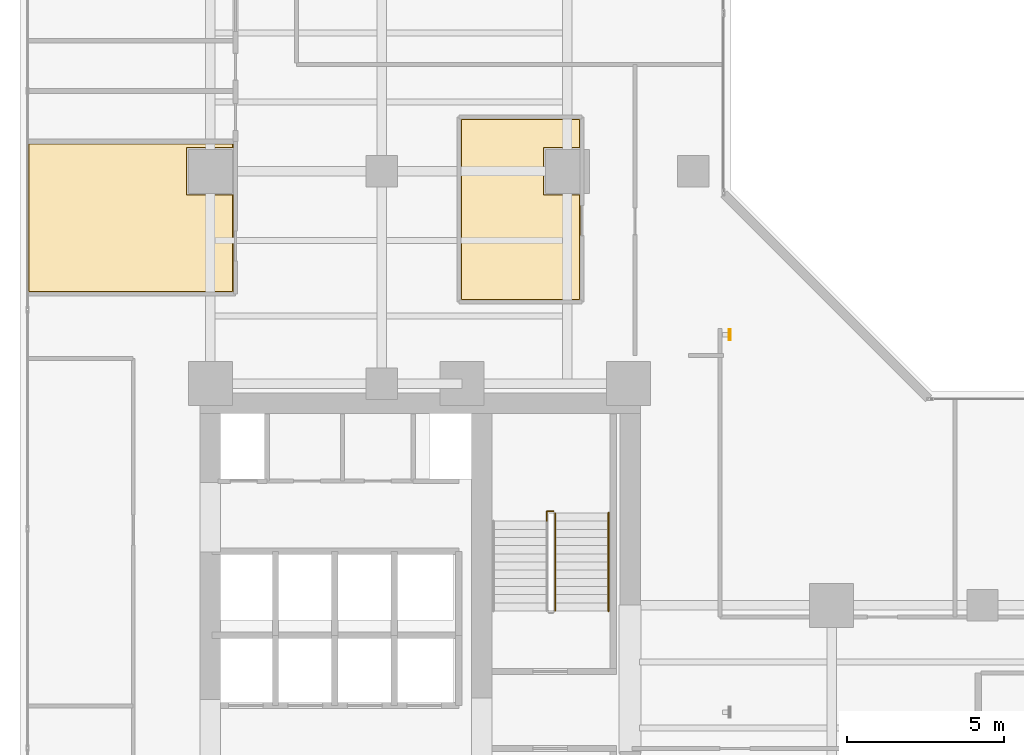
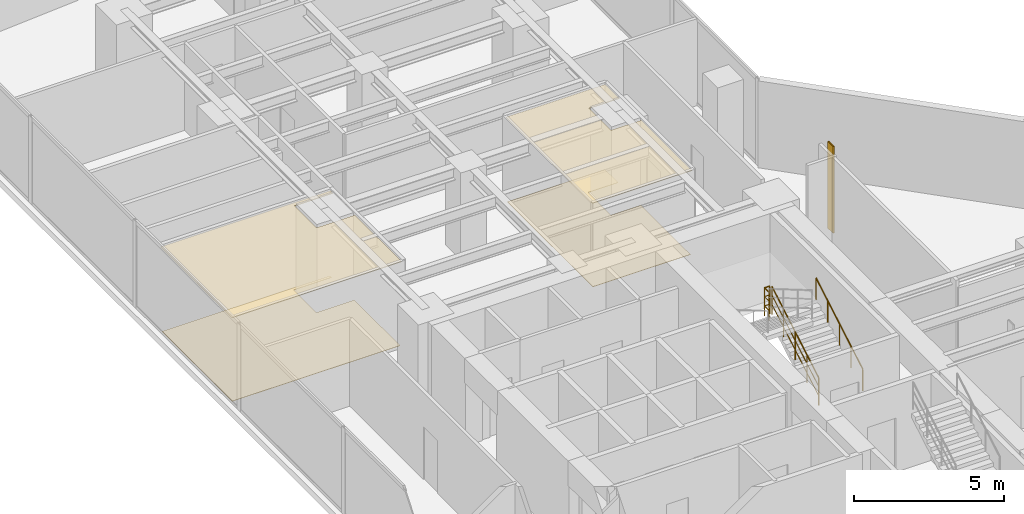
# One storey, part 27 of 29: 4 coverings, 3 railings, 1 shading device.
"""IFC4 building model written with IfcOpenShell, lengths in metres."""

import ifcopenshell
import ifcopenshell.guid

model = None  # the IFC model being written
_history = None  # IfcOwnerHistory: only IFC2X3 demands one
_inside = {}  # id of a spatial element -> (the spatial element, [elements in it])
_under = {}  # id of a project, library or spatial element -> (it, [spatial elements below it])
_declared = {}  # id of a project -> (the project, [libraries it declares])
_typed = {}  # id of a type object -> (the type object, [elements of that type])
_made_of = {}  # id of a material, layer set ... -> (it, [elements and type objects made of it])


def new_model(schema):
    """Start an empty IFC model of exactly this schema.

    Asked for "IFC4X3", IfcOpenShell would pick the latest addendum, in which some entities
    have other attributes; the version numbers below select the first issue.
    IFC2X3 requires an IfcOwnerHistory on every rooted entity: one is made here for all.
    """
    global model, _history
    if schema == "IFC4X3":
        model = ifcopenshell.file(schema_version=(4, 3, 0, 0))
    else:
        model = ifcopenshell.file(schema=schema)
    _inside.clear()
    _under.clear()
    _declared.clear()
    _typed.clear()
    _made_of.clear()
    _history = None
    if model.schema == "IFC2X3":
        org = make("IfcOrganization", Name="unknown")
        user = make(
            "IfcPersonAndOrganization",
            ThePerson=make("IfcPerson", FamilyName="unknown"),
            TheOrganization=org,
        )
        app = make(
            "IfcApplication",
            ApplicationDeveloper=org,
            Version="unknown",
            ApplicationFullName="unknown",
            ApplicationIdentifier="unknown",
        )
        _history = make(
            "IfcOwnerHistory",
            OwningUser=user,
            OwningApplication=app,
            ChangeAction="ADDED",
            CreationDate=0,
        )
    return model


def make(cls, **values):
    """One entity of the class cls with the attributes given. An attribute that is None is left unset."""
    return model.create_entity(
        cls, **{name: value for name, value in values.items() if value is not None}
    )


def rooted(cls, **values):
    """An entity with a GlobalId (a new one), such as an element, a storey or a relation."""
    return make(cls, GlobalId=ifcopenshell.guid.new(), OwnerHistory=_history, **values)


def si_unit(unit_type, name, prefix=None):
    """IfcSIUnit, for example si_unit("LENGTHUNIT", "METRE", prefix="MILLI")."""
    return make("IfcSIUnit", UnitType=unit_type, Prefix=prefix, Name=name)


def assignment(units):
    """IfcUnitAssignment: the units of a project."""
    return None if units is None else make("IfcUnitAssignment", Units=units)


def point(xyz):
    """IfcCartesianPoint."""
    return None if xyz is None else make("IfcCartesianPoint", Coordinates=xyz)


def direction(xyz):
    """IfcDirection."""
    return None if xyz is None else make("IfcDirection", DirectionRatios=xyz)


def frame(location, z_axis=None, x_axis=None):
    """IfcAxis2Placement3D, a coordinate frame: its origin and axes. An axis left out is left unset."""
    return make(
        "IfcAxis2Placement3D",
        Location=point(location),
        Axis=direction(z_axis),
        RefDirection=direction(x_axis),
    )


def frame_2d(location, x_axis=None):
    """IfcAxis2Placement2D, a coordinate frame in the plane: its origin and x axis."""
    return make(
        "IfcAxis2Placement2D", Location=point(location), RefDirection=direction(x_axis)
    )


def origin():
    """The frame at (0, 0, 0) with its axes left unset."""
    return frame((0.0, 0.0, 0.0))


def origin_2d():
    """The frame at (0, 0) in the plane with its x axis left unset."""
    return frame_2d((0.0, 0.0))


def place(relative_to, where):
    """IfcLocalPlacement: puts the frame where relative to a parent placement (None: the world)."""
    return make(
        "IfcLocalPlacement", PlacementRelTo=relative_to, RelativePlacement=where
    )


def context(
    kind, dimensions, precision=None, world=None, true_north=None, identifier=None
):
    """IfcGeometricRepresentationContext, for example the 3D "Model" context."""
    return make(
        "IfcGeometricRepresentationContext",
        ContextIdentifier=identifier,
        ContextType=kind,
        CoordinateSpaceDimension=dimensions,
        Precision=precision,
        WorldCoordinateSystem=world,
        TrueNorth=true_north,
    )


def subcontext(parent, identifier, kind, view, scale=None):
    """IfcGeometricRepresentationSubContext, for example "Body" below "Model"."""
    return make(
        "IfcGeometricRepresentationSubContext",
        ContextIdentifier=identifier,
        ContextType=kind,
        ParentContext=parent,
        TargetScale=scale,
        TargetView=view,
    )


def project(units=None, contexts=None):
    """IfcProject with its units and contexts."""
    return rooted(
        "IfcProject",
        Name="project",
        RepresentationContexts=contexts,
        UnitsInContext=assignment(units),
    )


def spatial(cls, under=None, at=None, **own):
    """A site, building, storey or space (cls), placed at a placement, below another one or the project."""
    s = rooted(cls, ObjectPlacement=at, **own)
    if under is not None:
        _under.setdefault(under.id(), (under, []))[1].append(s)
    return s


def polyline(points):
    """IfcPolyline through the points."""
    return make("IfcPolyline", Points=[point(p) for p in points])


def profile(cls, at=None, kind="AREA", **sizes):
    """A parametric profile (cls). Its sizes go by their IFC names, for example OverallWidth=200.0."""
    return make(cls, ProfileType=kind, Position=at, **sizes)


def hollow_rectangle(**sizes):
    """IfcRectangleHollowProfileDef."""
    return profile("IfcRectangleHollowProfileDef", **sizes)


def circle(**sizes):
    """IfcCircleProfileDef."""
    return profile("IfcCircleProfileDef", **sizes)


def outline(outer, holes=None, kind="AREA"):
    """IfcArbitraryClosedProfileDef: a profile drawn as a closed curve; with holes, ...WithVoids."""
    if holes is None:
        return make("IfcArbitraryClosedProfileDef", ProfileType=kind, OuterCurve=outer)
    return make(
        "IfcArbitraryProfileDefWithVoids",
        ProfileType=kind,
        OuterCurve=outer,
        InnerCurves=holes,
    )


def extrude(swept, where, along, depth):
    """IfcExtrudedAreaSolid: the profile swept, set in the frame where, extruded along a direction by depth."""
    return make(
        "IfcExtrudedAreaSolid",
        SweptArea=swept,
        Position=where,
        ExtrudedDirection=direction(along),
        Depth=depth,
    )


def shape(context_of_items, identifier, shape_type, items):
    """IfcShapeRepresentation: the items that make up one representation, for example the "Body"."""
    return make(
        "IfcShapeRepresentation",
        ContextOfItems=context_of_items,
        RepresentationIdentifier=identifier,
        RepresentationType=shape_type,
        Items=items,
    )


def material(Name=None, Category=None):
    """IfcMaterial."""
    return make("IfcMaterial", Name=Name, Category=Category)


def layer(
    of_material, thickness, ventilated=None, Name=None, Category=None, Priority=None
):
    """IfcMaterialLayer: one layer of a wall or slab, of a material (None: an air gap)."""
    return make(
        "IfcMaterialLayer",
        Material=of_material,
        LayerThickness=thickness,
        IsVentilated=ventilated,
        Name=Name,
        Category=Category,
        Priority=Priority,
    )


def layer_set(layers, Name=None):
    """IfcMaterialLayerSet."""
    return make("IfcMaterialLayerSet", MaterialLayers=layers, LayerSetName=Name)


def material_profile(
    of_material, cross_section, Name=None, Category=None, Priority=None
):
    """IfcMaterialProfile: a cross section and its material."""
    return make(
        "IfcMaterialProfile",
        Name=Name,
        Material=of_material,
        Profile=cross_section,
        Priority=Priority,
        Category=Category,
    )


def profile_set(profiles, Name=None, composite=None):
    """IfcMaterialProfileSet."""
    return make(
        "IfcMaterialProfileSet",
        Name=Name,
        MaterialProfiles=profiles,
        CompositeProfile=composite,
    )


def made_of(thing, what):
    """Note that an element or type object is made of a material, layer set ...; save() writes the relation."""
    if what is not None:
        _made_of.setdefault(what.id(), (what, []))[1].append(thing)
    return thing


def type_object(cls, material=None, **own):
    """A type object (cls), such as IfcWallType, which elements share."""
    return made_of(rooted(cls, **own), material)


def element(
    cls,
    number,
    at=None,
    inside=None,
    cuts=None,
    type_object=None,
    material=None,
    context=None,
    identifier="Body",
    shape_type=None,
    held_by="IfcProductDefinitionShape",
    body=None,
    shapes=None,
    **own,
):
    """One element of the class cls, such as IfcWall. Its Tag is "e" and its number.

    at: its placement. inside: the storey or other place that contains it. cuts: it is an
    opening in that element (IfcRelVoidsElement). A single representation is given by context,
    identifier, shape_type and body (its items); several are given by shapes. held_by: the class
    of the entity that holds the representations. save() writes the other relations.
    """
    e = rooted(cls, Tag="e%d" % number, ObjectPlacement=at, **own)
    if body is not None:
        shapes = [shape(context, identifier, shape_type, body)]
    if shapes is not None:
        e.Representation = make(held_by, Representations=shapes)
    if inside is not None:
        _inside.setdefault(inside.id(), (inside, []))[1].append(e)
    if cuts is not None:
        rooted(
            "IfcRelVoidsElement", RelatingBuildingElement=cuts, RelatedOpeningElement=e
        )
    if type_object is not None:
        _typed.setdefault(type_object.id(), (type_object, []))[1].append(e)
    return made_of(e, material)


def aggregate(whole, parts):
    """IfcRelAggregates: a whole, such as a stair, and the parts it consists of."""
    return rooted("IfcRelAggregates", RelatingObject=whole, RelatedObjects=parts)


def save(model, path):
    """Write the relations noted so far, then the file.

    IfcRelAggregates (storeys below a building ...), IfcRelContainedInSpatialStructure (elements
    in a storey), IfcRelDefinesByType, IfcRelAssociatesMaterial and IfcRelDeclares: one each for
    every whole, place, type object, material and project.
    """
    for whole, parts in _under.values():
        aggregate(whole, parts)
    for where, things in _inside.values():
        rooted(
            "IfcRelContainedInSpatialStructure",
            RelatedElements=things,
            RelatingStructure=where,
        )
    for kind, things in _typed.values():
        rooted("IfcRelDefinesByType", RelatedObjects=things, RelatingType=kind)
    for what, things in _made_of.values():
        rooted("IfcRelAssociatesMaterial", RelatedObjects=things, RelatingMaterial=what)
    for by, libraries in _declared.values():
        rooted("IfcRelDeclares", RelatingContext=by, RelatedDefinitions=libraries)
    model.write(path)


model = new_model("IFC4")

# Units and contexts
model_context = context("Model", 3, precision=1e-05, world=origin(), true_north=direction((0.0, 1.0)))
body_context = subcontext(model_context, "Body", "Model", "MODEL_VIEW")
ifc_project = project(units=[si_unit("LENGTHUNIT", "METRE"), si_unit("AREAUNIT", "SQUARE_METRE"), si_unit("VOLUMEUNIT", "CUBIC_METRE"), si_unit("PLANEANGLEUNIT", "RADIAN"), si_unit("MASSUNIT", "GRAM", prefix="KILO")], contexts=[model_context])

# Site, building, storey
site_placement = place(None, origin())
site = spatial("IfcSite", under=ifc_project, at=site_placement, CompositionType="ELEMENT")
building_placement = place(site_placement, origin())
building = spatial("IfcBuilding", under=site, at=building_placement, Name="Kolvaren Waterfront Exchange", CompositionType="ELEMENT")
storey_placement = place(building_placement, frame((0.0, 0.0, 129.699951171875)))
storey = spatial("IfcBuildingStorey", under=building, at=storey_placement, Name="L33", CompositionType="ELEMENT", Elevation=129.699951171875)

# Coverings
ifc_material_1 = material(Name="Mineral fibre acoustic ceiling tile")
ifc_layer_1 = layer(ifc_material_1, 0.02490234375, Name="Mineral fibre acoustic ceiling tile")
ifc_layer_set_1 = layer_set([ifc_layer_1], Name="Mineral fibre acoustic ceiling tile")
covering_type_1 = type_object("IfcCoveringType", Name="ARC-CEIL-ACOUSTIC-25", PredefinedType="CEILING", material=ifc_layer_set_1)
covering_1_placement = place(storey_placement, frame((0.0, 0.0, 3.425048828125)))
element("IfcCovering", 1, at=covering_1_placement, inside=storey, type_object=covering_type_1, Name="L33 acoustic suspended ceiling 1", PredefinedType="CEILING", context=body_context, shape_type="SweptSolid", body=[
    extrude(outline(polyline([(19.22509765625, 30.4599609375), (18.06005859375, 30.4599609375), (18.06005859375, 31.93994140625), (19.22509765625, 31.93994140625), (19.22509765625, 32.875), (15.39501953125, 32.875), (15.39501953125, 27.094970703125), (19.22509765625, 27.094970703125), (19.22509765625, 30.4599609375)])), origin(), (0.0, 0.0, 1.0), 0.02490234375),
])
covering_2_placement = place(storey_placement, frame((0.0, 0.0, 3.425048828125)))
element("IfcCovering", 2, at=covering_2_placement, inside=storey, type_object=covering_type_1, Name="L33 acoustic suspended ceiling 2", PredefinedType="CEILING", context=body_context, shape_type="SweptSolid", body=[
    extrude(outline(polyline([(8.18505859375, 30.4599609375), (6.7099609375, 30.4599609375), (6.7099609375, 31.93994140625), (8.18505859375, 31.93994140625), (8.18505859375, 32.10498046875), (1.64501953125, 32.10498046875), (1.64501953125, 27.344970703125), (8.18505859375, 27.344970703125), (8.18505859375, 30.4599609375)])), origin(), (0.0, 0.0, 1.0), 0.02490234375),
])

# Shading device
ifc_material_2 = material(Name="Anodised bronze aluminium 6063-T6", Category="aluminium")
ifc_material_profile = material_profile(ifc_material_2, hollow_rectangle(XDim=0.06005859375, YDim=0.35009765625, WallThickness=0.0048828125, at=origin_2d()), Name="BRZ-FIN-350x60x5")
ifc_profile_set = profile_set([ifc_material_profile], Name="Anodised bronze aluminium 6063-T6")
shading_device_type = type_object("IfcShadingDeviceType", Name="ARC-FIN-350", PredefinedType="USERDEFINED", material=ifc_profile_set)
shading_device_placement = place(storey_placement, frame((23.9599609375, 26.0, 0.0), z_axis=(0.0, 0.0, 1.0), x_axis=(1.0, 0.0, 0.0)))
element("IfcShadingDevice", 3, at=shading_device_placement, inside=storey, type_object=shading_device_type, Name="L33 anodised bronze solar shading fin FIN-L33-E2", ObjectType="SOLAR FIN", PredefinedType="USERDEFINED", context=body_context, shape_type="SweptSolid", body=[
    extrude(hollow_rectangle(XDim=0.06005859375, YDim=0.35009765625, WallThickness=0.0048828125, at=origin_2d()), origin(), (0.0, 0.0, 1.0), 3.5400390625),
])

# Coverings
ifc_material_3 = material(Name="Slip-resistant porcelain tile")
ifc_layer_2 = layer(ifc_material_3, 0.014892578125, Name="Slip-resistant porcelain tile")
ifc_layer_set_2 = layer_set([ifc_layer_2], Name="Slip-resistant porcelain tile")
covering_type_2 = type_object("IfcCoveringType", Name="ARC-FLR-PORC-15", PredefinedType="FLOORING", material=ifc_layer_set_2)
covering_3_placement = place(storey_placement, origin())
element("IfcCovering", 4, at=covering_3_placement, inside=storey, type_object=covering_type_2, Name="L33 floor finish 1", PredefinedType="FLOORING", context=body_context, shape_type="SweptSolid", body=[
    extrude(outline(polyline([(15.429931640625, 32.840087890625), (15.429931640625, 27.1298828125), (19.18994140625, 27.1298828125), (19.18994140625, 30.43994140625), (18.0400390625, 30.43994140625), (18.0400390625, 31.9599609375), (19.18994140625, 31.9599609375), (19.18994140625, 32.840087890625), (15.429931640625, 32.840087890625)])), origin(), (0.0, 0.0, 1.0), 0.01513671875),
])
covering_4_placement = place(storey_placement, origin())
element("IfcCovering", 5, at=covering_4_placement, inside=storey, type_object=covering_type_2, Name="L33 floor finish 2", PredefinedType="FLOORING", context=body_context, shape_type="SweptSolid", body=[
    extrude(outline(polyline([(1.679931640625, 32.070068359375), (1.679931640625, 27.3798828125), (8.14990234375, 27.3798828125), (8.14990234375, 30.43994140625), (6.68994140625, 30.43994140625), (6.68994140625, 31.9599609375), (8.14990234375, 31.9599609375), (8.14990234375, 32.070068359375), (1.679931640625, 32.070068359375)])), origin(), (0.0, 0.0, 1.0), 0.01513671875),
])

# Railings
ifc_material_4 = material(Name="Stainless steel 316", Category="steel")
railing_type_1 = type_object("IfcRailingType", Name="ARC-GUARD-STAIR", PredefinedType="GUARDRAIL", material=ifc_material_4)
railing_1_placement = place(storey_placement, frame((18.409912109375, 17.219970703125, 0.152099609375)))
element("IfcRailing", 6, at=railing_1_placement, inside=storey, type_object=railing_type_1, Name="L33 ST2 stair guard 1", PredefinedType="GUARDRAIL", context=body_context, shape_type="SweptSolid", body=[
    extrude(circle(Radius=0.02392578125, at=origin_2d()), frame((0.0, 0.0, 1.1259765625), z_axis=(0.0, 0.86330811405, 0.504677223793), x_axis=(-1.0, 0.0, 0.0)), (0.0, 0.0, 1.0), 3.6142578125),
    extrude(circle(Radius=0.01611328125, at=origin_2d()), frame((0.0, 0.0, 0.390869140625), z_axis=(0.0, 0.86330811405, 0.504677223793), x_axis=(-1.0, 0.0, 0.0)), (0.0, 0.0, 1.0), 3.6142578125),
    extrude(circle(Radius=0.01611328125, at=origin_2d()), frame((0.0, 0.0, 0.7705078125), z_axis=(0.0, 0.86330811405, 0.504677223793), x_axis=(-1.0, 0.0, 0.0)), (0.0, 0.0, 1.0), 3.6142578125),
    extrude(circle(Radius=0.02099609375, at=origin_2d()), origin(), (0.0, 0.0, 1.0), 1.101806640625),
    extrude(circle(Radius=0.02099609375, at=origin_2d()), frame((0.0, 0.780029296875, 0.4560546875)), (0.0, 0.0, 1.0), 1.101806640625),
    extrude(circle(Radius=0.02099609375, at=origin_2d()), frame((0.0, 1.56005859375, 0.912109375)), (0.0, 0.0, 1.0), 1.101806640625),
    extrude(circle(Radius=0.02099609375, at=origin_2d()), frame((0.0, 2.340087890625, 1.367919921875)), (0.0, 0.0, 1.0), 1.101806640625),
    extrude(circle(Radius=0.02099609375, at=origin_2d()), frame((0.0, 3.1201171875, 1.823974609375)), (0.0, 0.0, 1.0), 1.101806640625),
])
railing_2_placement = place(storey_placement, frame((18.360107421875, 20.389892578125, 1.97607421875)))
element("IfcRailing", 7, at=railing_2_placement, inside=storey, type_object=railing_type_1, Name="L33 ST2 stair guard 2", PredefinedType="GUARDRAIL", context=body_context, shape_type="SweptSolid", body=[
    extrude(circle(Radius=0.02392578125, at=origin_2d()), frame((0.0, 0.0, 1.1259765625), z_axis=(-1.0, 0.0, 0.0), x_axis=(0.0, -1.0, 0.0)), (0.0, 0.0, 1.0), 0.210205078125),
    extrude(circle(Radius=0.01611328125, at=origin_2d()), frame((0.0, 0.0, 0.390869140625), z_axis=(-1.0, 0.0, 0.0), x_axis=(0.0, -1.0, 0.0)), (0.0, 0.0, 1.0), 0.210205078125),
    extrude(circle(Radius=0.01611328125, at=origin_2d()), frame((0.0, 0.0, 0.7705078125), z_axis=(-1.0, 0.0, 0.0), x_axis=(0.0, -1.0, 0.0)), (0.0, 0.0, 1.0), 0.210205078125),
    extrude(circle(Radius=0.02392578125, at=origin_2d()), frame((-0.210205078125, 0.0, 1.1259765625), z_axis=(0.0, -1.0, 0.0), x_axis=(1.0, 0.0, 0.0)), (0.0, 0.0, 1.0), 0.309814453125),
    extrude(circle(Radius=0.01611328125, at=origin_2d()), frame((-0.210205078125, 0.0, 0.390869140625), z_axis=(0.0, -1.0, 0.0), x_axis=(1.0, 0.0, 0.0)), (0.0, 0.0, 1.0), 0.309814453125),
    extrude(circle(Radius=0.01611328125, at=origin_2d()), frame((-0.210205078125, 0.0, 0.7705078125), z_axis=(0.0, -1.0, 0.0), x_axis=(1.0, 0.0, 0.0)), (0.0, 0.0, 1.0), 0.309814453125),
    extrude(circle(Radius=0.02099609375, at=origin_2d()), origin(), (0.0, 0.0, 1.0), 1.101806640625),
    extrude(circle(Radius=0.02099609375, at=origin_2d()), frame((-0.210205078125, 0.0, 0.0)), (0.0, 0.0, 1.0), 1.101806640625),
    extrude(circle(Radius=0.02099609375, at=origin_2d()), frame((-0.210205078125, -0.309814453125, 0.0)), (0.0, 0.0, 1.0), 1.101806640625),
])
railing_type_2 = type_object("IfcRailingType", Name="ARC-HANDRAIL-900", PredefinedType="HANDRAIL", material=ifc_material_4)
railing_3_placement = place(storey_placement, frame((20.110107421875, 17.219970703125, 0.152099609375)))
element("IfcRailing", 8, at=railing_3_placement, inside=storey, type_object=railing_type_2, Name="L33 ST2 stair handrail 1", PredefinedType="HANDRAIL", context=body_context, shape_type="SweptSolid", body=[
    extrude(circle(Radius=0.02392578125, at=origin_2d()), frame((0.0, 0.0, 0.8759765625), z_axis=(0.0, 0.86330811405, 0.504677223793), x_axis=(-1.0, 0.0, 0.0)), (0.0, 0.0, 1.0), 3.6142578125),
    extrude(circle(Radius=0.02099609375, at=origin_2d()), origin(), (0.0, 0.0, 1.0), 0.851806640625),
    extrude(circle(Radius=0.02099609375, at=origin_2d()), frame((0.0, 0.780029296875, 0.4560546875)), (0.0, 0.0, 1.0), 0.851806640625),
    extrude(circle(Radius=0.02099609375, at=origin_2d()), frame((0.0, 1.56005859375, 0.912109375)), (0.0, 0.0, 1.0), 0.851806640625),
    extrude(circle(Radius=0.02099609375, at=origin_2d()), frame((0.0, 2.340087890625, 1.367919921875)), (0.0, 0.0, 1.0), 0.851806640625),
    extrude(circle(Radius=0.02099609375, at=origin_2d()), frame((0.0, 3.1201171875, 1.823974609375)), (0.0, 0.0, 1.0), 0.851806640625),
])

save(model, "model.ifc")
